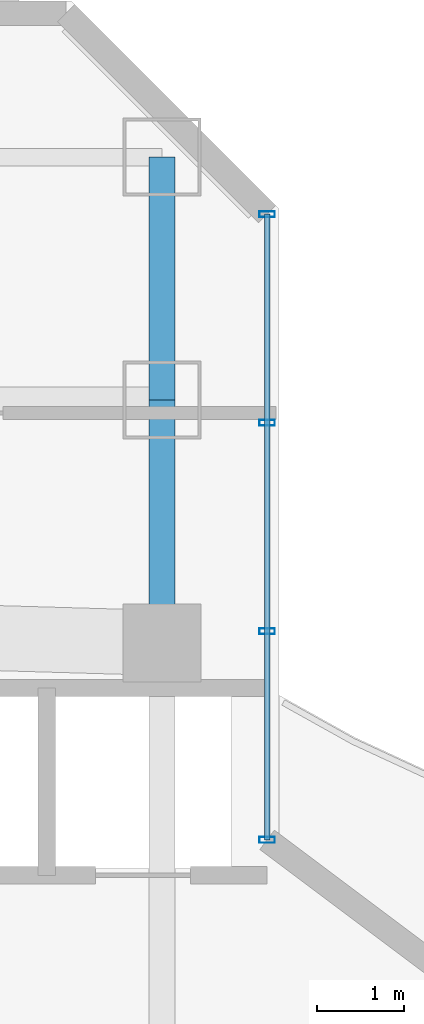
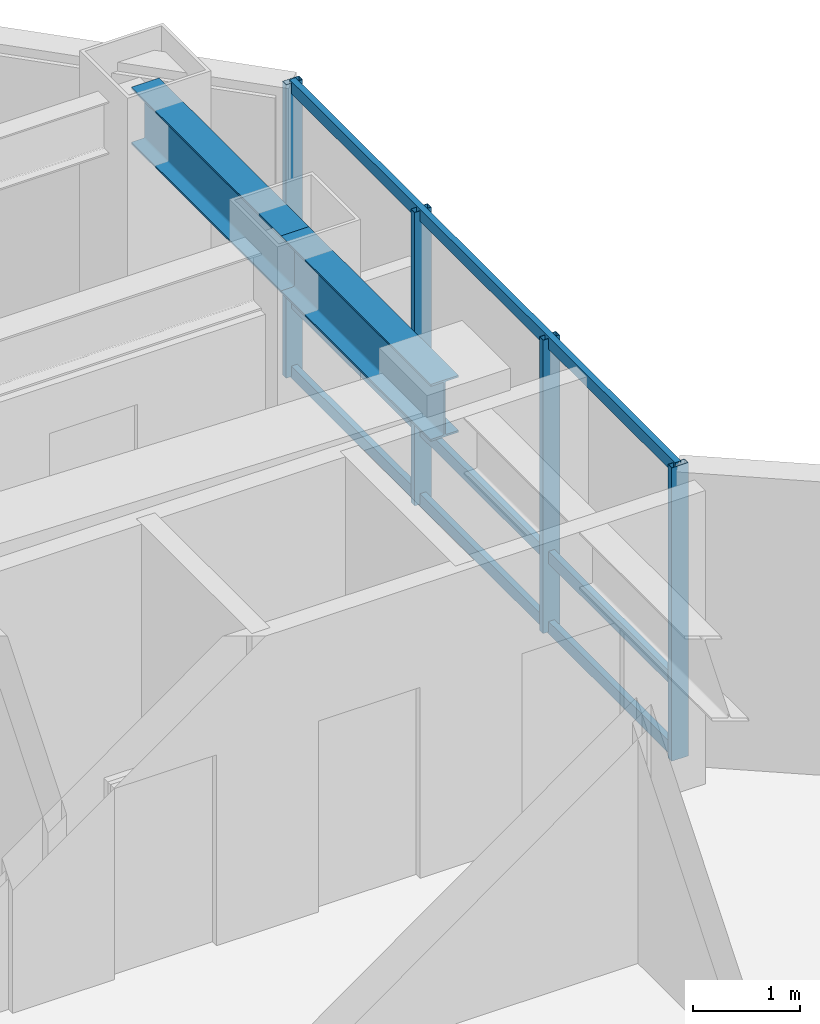
# One storey, part 19 of 31: 7 members, 2 beams, 1 element without a shape of its own.
"""IFC4 building model written with IfcOpenShell, lengths in metres."""

from ifc_helpers import new_model, si_unit, direction, frame, origin, origin_2d, place, context, subcontext, project, spatial, hollow_rectangle, i_section, extrude, material, layer, layer_set, material_profile, profile_set, type_object, element, aggregate, save


model = new_model("IFC4")

# Units and contexts
model_context = context("Model", 3, precision=1e-05, world=origin(), true_north=direction((0.0, 1.0)))
body_context = subcontext(model_context, "Body", "Model", "MODEL_VIEW")
ifc_project = project(units=[si_unit("LENGTHUNIT", "METRE"), si_unit("AREAUNIT", "SQUARE_METRE"), si_unit("VOLUMEUNIT", "CUBIC_METRE"), si_unit("PLANEANGLEUNIT", "RADIAN"), si_unit("MASSUNIT", "GRAM", prefix="KILO")], contexts=[model_context])

# Site, building, storey
site_placement = place(None, origin())
site = spatial("IfcSite", under=ifc_project, at=site_placement, CompositionType="ELEMENT")
building_placement = place(site_placement, origin())
building = spatial("IfcBuilding", under=site, at=building_placement, Name="Hatsunagi Terrace Concourse", CompositionType="ELEMENT")
storey_placement = place(building_placement, frame((0.0, 0.0, 122.85009765625)))
storey = spatial("IfcBuildingStorey", under=building, at=storey_placement, Name="L32", CompositionType="ELEMENT", Elevation=122.85009765625)

# Curtain wall, members
ifc_material_1 = material(Name="Anodised Aluminium Alloy 6063-T5", Category="aluminium")
ifc_layer = layer(ifc_material_1, 0.199951171875)
ifc_layer_set = layer_set([ifc_layer], Name="OfficeZone1_CW03")
curtain_wall_type = type_object("IfcCurtainWallType", Name="OfficeZone1_CW03", PredefinedType="NOTDEFINED", material=ifc_layer_set)
curtain_wall_placement = place(storey_placement, origin())
curtain_wall = element("IfcCurtainWall", 1, at=curtain_wall_placement, inside=storey, type_object=curtain_wall_type, Name="Unitised Curtain Wall CW-03 CW-L32-13", PredefinedType="NOTDEFINED")
ifc_material_2 = material(Name="Anodised Aluminium Alloy 6063-T5", Category="aluminium")
ifc_material_profile_1 = material_profile(ifc_material_2, hollow_rectangle(XDim=0.070068359375, YDim=0.179931640625, WallThickness=0.00390625, at=origin_2d()), Name="ALU-MUL-180x70x4")
ifc_profile_set_1 = profile_set([ifc_material_profile_1], Name="Anodised Aluminium Alloy 6063-T5")
member_type_1 = type_object("IfcMemberType", Name="CurtainWallMullion_180x70", PredefinedType="MULLION", material=ifc_profile_set_1)
member_1_placement = place(storey_placement, frame((44.860107421875, 47.94189453125, 0.0), z_axis=(0.0, 0.0, 1.0), x_axis=(0.0, -1.0, 0.0)))
member_1 = element("IfcMember", 2, at=member_1_placement, type_object=member_type_1, Name="Curtain Wall Mullion MUL-02", PredefinedType="MULLION", context=body_context, shape_type="SweptSolid", body=[
    extrude(hollow_rectangle(XDim=0.070068359375, YDim=0.179931640625, WallThickness=0.00390625, at=origin_2d()), origin(), (0.0, 0.0, 1.0), 3.349853515625),
])
member_2_placement = place(storey_placement, frame((44.860107421875, 45.5380859375, 0.0), z_axis=(0.0, 0.0, 1.0), x_axis=(0.0, -1.0, 0.0)))
member_2 = element("IfcMember", 3, at=member_2_placement, type_object=member_type_1, Name="Curtain Wall Mullion MUL-02", PredefinedType="MULLION", context=body_context, shape_type="SweptSolid", body=[
    extrude(hollow_rectangle(XDim=0.070068359375, YDim=0.179931640625, WallThickness=0.00390625, at=origin_2d()), origin(), (0.0, 0.0, 1.0), 3.349853515625),
])
member_3_placement = place(storey_placement, frame((44.860107421875, 43.134033203125, 0.0), z_axis=(0.0, 0.0, 1.0), x_axis=(0.0, -1.0, 0.0)))
member_3 = element("IfcMember", 4, at=member_3_placement, type_object=member_type_1, Name="Curtain Wall Mullion MUL-02", PredefinedType="MULLION", context=body_context, shape_type="SweptSolid", body=[
    extrude(hollow_rectangle(XDim=0.070068359375, YDim=0.179931640625, WallThickness=0.00390625, at=origin_2d()), origin(), (0.0, 0.0, 1.0), 3.349853515625),
])
member_4_placement = place(storey_placement, frame((44.860107421875, 40.72998046875, 0.0), z_axis=(0.0, 0.0, 1.0), x_axis=(0.0, -1.0, 0.0)))
member_4 = element("IfcMember", 5, at=member_4_placement, type_object=member_type_1, Name="Curtain Wall Mullion MUL-02", PredefinedType="MULLION", context=body_context, shape_type="SweptSolid", body=[
    extrude(hollow_rectangle(XDim=0.070068359375, YDim=0.179931640625, WallThickness=0.00390625, at=origin_2d()), origin(), (0.0, 0.0, 1.0), 3.349853515625),
])
ifc_material_3 = material(Name="Anodised Aluminium Alloy 6063-T5", Category="aluminium")
ifc_material_profile_2 = material_profile(ifc_material_3, hollow_rectangle(XDim=0.06494140625, YDim=0.139892578125, WallThickness=0.00390625, at=origin_2d()), Name="ALU-TRN-140x65x4")
ifc_profile_set_2 = profile_set([ifc_material_profile_2], Name="Anodised Aluminium Alloy 6063-T5")
member_type_2 = type_object("IfcMemberType", Name="CurtainWallTransom_140x65", PredefinedType="USERDEFINED", material=ifc_profile_set_2)
member_5_placement = place(storey_placement, frame((44.860107421875, 47.94189453125, 0.0498046875), z_axis=(0.0, -1.0, 0.0), x_axis=(1.0, 0.0, 0.0)))
member_5 = element("IfcMember", 6, at=member_5_placement, type_object=member_type_2, Name="Curtain Wall Transom TRN-02", ObjectType="TRANSOM", PredefinedType="USERDEFINED", context=body_context, shape_type="SweptSolid", body=[
    extrude(hollow_rectangle(XDim=0.06494140625, YDim=0.139892578125, WallThickness=0.00390625, at=origin_2d()), origin(), (0.0, 0.0, 1.0), 7.2119140625),
])
member_6_placement = place(storey_placement, frame((44.860107421875, 47.94189453125, 0.849853515625), z_axis=(0.0, -1.0, 0.0), x_axis=(1.0, 0.0, 0.0)))
member_6 = element("IfcMember", 7, at=member_6_placement, type_object=member_type_2, Name="Curtain Wall Transom TRN-02", ObjectType="TRANSOM", PredefinedType="USERDEFINED", context=body_context, shape_type="SweptSolid", body=[
    extrude(hollow_rectangle(XDim=0.06494140625, YDim=0.139892578125, WallThickness=0.00390625, at=origin_2d()), origin(), (0.0, 0.0, 1.0), 7.2119140625),
])
member_7_placement = place(storey_placement, frame((44.860107421875, 47.94189453125, 3.2998046875), z_axis=(0.0, -1.0, 0.0), x_axis=(1.0, 0.0, 0.0)))
member_7 = element("IfcMember", 8, at=member_7_placement, type_object=member_type_2, Name="Curtain Wall Transom TRN-02", ObjectType="TRANSOM", PredefinedType="USERDEFINED", context=body_context, shape_type="SweptSolid", body=[
    extrude(hollow_rectangle(XDim=0.06494140625, YDim=0.139892578125, WallThickness=0.00390625, at=origin_2d()), origin(), (0.0, 0.0, 1.0), 7.2119140625),
])
aggregate(curtain_wall, [member_1, member_2, member_3, member_4, member_5, member_6, member_7])

# Beams
ifc_material_4 = material(Name="Steel SN490B", Category="steel")
ifc_material_profile_3 = material_profile(ifc_material_4, i_section(OverallWidth=0.300048828125, OverallDepth=0.64990234375, WebThickness=0.012939453125, FlangeThickness=0.02197265625, FilletRadius=0.01806640625, at=origin_2d()), Name="H-650x300x13x22")
ifc_profile_set_3 = profile_set([ifc_material_profile_3], Name="Steel SN490B")
beam_type = type_object("IfcBeamType", Name="OfficeLowGirder_H_650x300", PredefinedType="BEAM", material=ifc_profile_set_3)
for number, where, z_axis, x_axis, name in (
    (9, (43.64990234375, 43.0, 3.02490234375), (0.0, 1.0, 0.0), (-1.0, 0.0, 0.0), "Beam G-05 BM-L32-CN3"),
    (10, (43.64990234375, 45.800048828125, 3.02490234375), (0.0, 1.0, 0.0), (-1.0, 0.0, 0.0), "Beam G-05 BM-L32-KN-WN6"),
):
    element("IfcBeam", number, at=place(storey_placement, frame(where, z_axis=z_axis, x_axis=x_axis)), inside=storey, type_object=beam_type, Name=name, PredefinedType="BEAM", context=body_context, shape_type="SweptSolid", body=[
        extrude(i_section(OverallWidth=0.300048828125, OverallDepth=0.64990234375, WebThickness=0.012939453125, FlangeThickness=0.02197265625, FilletRadius=0.01806640625, at=origin_2d()), origin(), (0.0, 0.0, 1.0), 2.800048828125),
    ])

save(model, "model.ifc")
